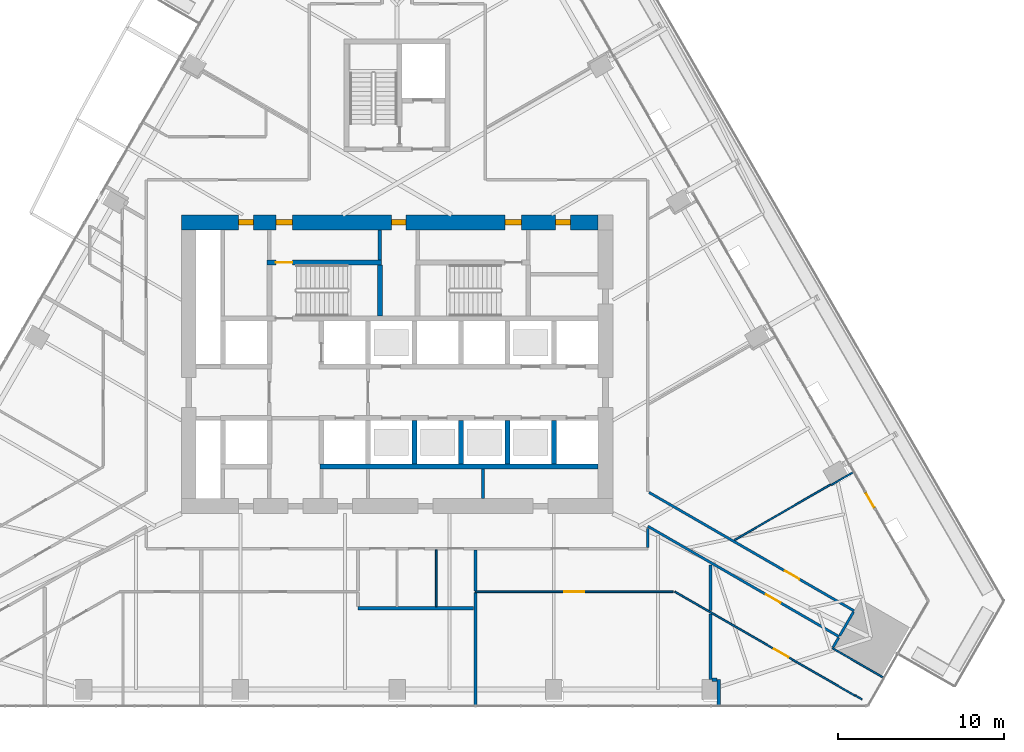
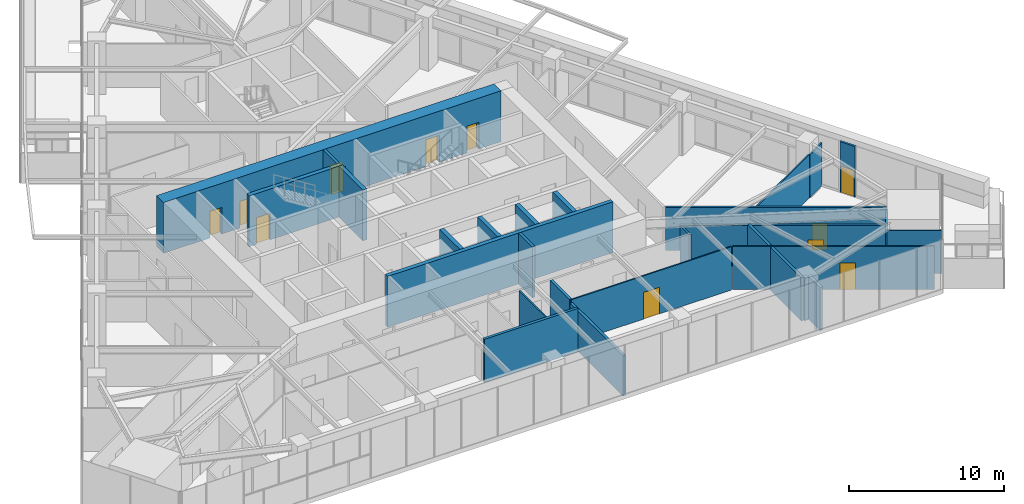
# One storey, part 22 of 29: 30 walls, 11 doors, 11 openings, 1 element without a shape of its own.
"""IFC4 building model written with IfcOpenShell, lengths in metres."""

from ifc_helpers import new_model, si_unit, direction, frame, frame_2d, origin, place, context, subcontext, project, spatial, rectangle, extrude, material, layer, layer_set, type_object, element, fill, aggregate, save


model = new_model("IFC4")

# Units and contexts
model_context = context("Model", 3, precision=1e-05, world=origin(), true_north=direction((0.0, 1.0)))
body_context = subcontext(model_context, "Body", "Model", "MODEL_VIEW")
ifc_project = project(units=[si_unit("LENGTHUNIT", "METRE"), si_unit("AREAUNIT", "SQUARE_METRE"), si_unit("VOLUMEUNIT", "CUBIC_METRE"), si_unit("PLANEANGLEUNIT", "RADIAN"), si_unit("MASSUNIT", "GRAM", prefix="KILO")], contexts=[model_context])

# Site, building, storey
site_placement = place(None, origin())
site = spatial("IfcSite", under=ifc_project, at=site_placement, CompositionType="ELEMENT")
building_placement = place(site_placement, origin())
building = spatial("IfcBuilding", under=site, at=building_placement, Name="Firuza Gate Tower and Library", CompositionType="ELEMENT")
storey_placement = place(building_placement, frame((0.0, 0.0, 82.0)))
storey = spatial("IfcBuildingStorey", under=building, at=storey_placement, Name="L18", CompositionType="ELEMENT", Elevation=82.0)

# Walls
ifc_material_1 = material(Name="Plasterboard on steel studs", Category="steel")
ifc_layer_1 = layer(ifc_material_1, 0.199951171875)
ifc_layer_set_1 = layer_set([ifc_layer_1], Name="Core partition 200 EI 120")
wall_type_1 = type_object("IfcWallType", Name="Core partition 200 EI 120", PredefinedType="PARTITIONING", material=ifc_layer_set_1)
wall_1_placement = place(storey_placement, frame((80.175048828125, 66.89990234375, 0.0), z_axis=(0.0, 0.0, 1.0), x_axis=(0.0, 1.0, 0.0)))
element("IfcWall", 1, at=wall_1_placement, inside=storey, type_object=wall_type_1, Name="Core partition L18 15", PredefinedType="PARTITIONING", context=body_context, shape_type="SweptSolid", body=[
    extrude(rectangle(XDim=1.800048828125, YDim=0.199951171875, at=frame_2d((0.89990234375, 0.0))), origin(), (0.0, 0.0, 1.0), 4.0),
])
ifc_material_2 = material(Name="Plasterboard on steel studs", Category="steel")
ifc_layer_2 = layer(ifc_material_2, 0.199951171875)
ifc_layer_set_2 = layer_set([ifc_layer_2], Name="Core partition 200 EI 60")
wall_type_2 = type_object("IfcWallType", Name="Core partition 200 EI 60", PredefinedType="PARTITIONING", material=ifc_layer_set_2)
wall_2_placement = place(storey_placement, frame((73.9599609375, 81.280029296875, 0.0), z_axis=(0.0, 0.0, 1.0), x_axis=(0.0, 1.0, 0.0)))
element("IfcWall", 2, at=wall_2_placement, inside=storey, type_object=wall_type_2, Name="Core partition L18 13", PredefinedType="PARTITIONING", context=body_context, shape_type="SweptSolid", body=[
    extrude(rectangle(XDim=1.820068359375, YDim=0.199951171875, at=frame_2d((0.91015625, 0.0))), origin(), (0.0, 0.0, 1.0), 4.0),
])
ifc_material_3 = material(Name="Concrete C80/95", Category="concrete")
ifc_layer_3 = layer(ifc_material_3, 0.300048828125)
ifc_layer_set_3 = layer_set([ifc_layer_3], Name="Core wall 300 C80/95")
wall_type_3 = type_object("IfcWallType", Name="Core wall 300 C80/95", PredefinedType="SHEAR", material=ifc_layer_set_3)
wall_3_placement = place(storey_placement, frame((70.35009765625, 68.85009765625, 0.0), z_axis=(0.0, 0.0, 1.0), x_axis=(1.0, 0.0, 0.0)))
element("IfcWall", 3, at=wall_3_placement, inside=storey, type_object=wall_type_3, Name="Core wall L18 6", PredefinedType="SHEAR", context=body_context, shape_type="SweptSolid", body=[
    extrude(rectangle(XDim=16.75, YDim=0.300048828125, at=frame_2d((8.375, 0.0))), origin(), (0.0, 0.0, 1.0), 4.0),
])
for number, where, z_axis, x_axis, name in (
    (4, (76.050048828125, 69.0, 0.0), (0.0, 0.0, 1.0), (0.0, 1.0, 0.0), "Core wall L18 19"),
    (5, (78.85009765625, 69.0, 0.0), (0.0, 0.0, 1.0), (0.0, 1.0, 0.0), "Core wall L18 21"),
    (6, (81.64990234375, 69.0, 0.0), (0.0, 0.0, 1.0), (0.0, 1.0, 0.0), "Core wall L18 23"),
    (7, (84.449951171875, 69.0, 0.0), (0.0, 0.0, 1.0), (0.0, 1.0, 0.0), "Core wall L18 25"),
):
    element("IfcWall", number, at=place(storey_placement, frame(where, z_axis=z_axis, x_axis=x_axis)), inside=storey, type_object=wall_type_3, Name=name, PredefinedType="SHEAR", context=body_context, shape_type="SweptSolid", body=[
        extrude(rectangle(XDim=2.60009765625, YDim=0.300048828125, at=frame_2d((1.300048828125, 0.0))), origin(), (0.0, 0.0, 1.0), 4.0),
    ])

# Wall, opening, door
wall_4_placement = place(storey_placement, frame((67.14990234375, 81.1298828125, 0.0), z_axis=(0.0, 0.0, 1.0), x_axis=(1.0, 0.0, 0.0)))
wall_4 = element("IfcWall", 8, at=wall_4_placement, inside=storey, type_object=wall_type_3, Name="Core wall L18 28", PredefinedType="SHEAR", context=body_context, shape_type="SweptSolid", body=[
    extrude(rectangle(XDim=6.91015625, YDim=0.300048828125, at=frame_2d((3.455078125, 0.0))), origin(), (0.0, 0.0, 1.0), 4.0),
])
opening_1_placement = place(wall_4_placement, frame((0.544921875, 0.0, 0.0)))
opening_1 = element("IfcOpeningElement", 9, at=opening_1_placement, cuts=wall_4, Name="Opening L18-K13", PredefinedType="OPENING", context=body_context, shape_type="SweptSolid", body=[
    extrude(rectangle(XDim=1.0, YDim=2.10009765625, at=frame_2d((0.5, 1.050048828125))), frame((0.0, 0.16015625, 0.0), z_axis=(0.0, -1.0, 0.0), x_axis=(1.0, 0.0, 0.0)), (0.0, 0.0, 1.0), 0.320068359375),
])
ifc_material_4 = material(Name="Steel", Category="steel")
door_type_1 = type_object("IfcDoorType", Name="Fire door 1000x2100 FD90", OperationType="NOTDEFINED", PredefinedType="DOOR", material=ifc_material_4)
door_1_placement = place(opening_1_placement, origin())
door_1 = element("IfcDoor", 10, at=door_1_placement, inside=storey, type_object=door_type_1, Name="Door L18-K13", OperationType="SINGLE_SWING_RIGHT", OverallHeight=2.10009765625, OverallWidth=1.0, PredefinedType="DOOR", context=body_context, shape_type="SweptSolid", body=[
    extrude(rectangle(XDim=1.0, YDim=2.10009765625, at=frame_2d((0.5, 1.050048828125))), frame((0.0, 0.02490234375, 0.0), z_axis=(0.0, -1.0, 0.0), x_axis=(1.0, 0.0, 0.0)), (0.0, 0.0, 1.0), 0.050048828125),
])
fill(opening_1, door_1)

# Wall
wall_5_placement = place(storey_placement, frame((73.9599609375, 77.89990234375, 0.0), z_axis=(0.0, 0.0, 1.0), x_axis=(0.0, 1.0, 0.0)))
element("IfcWall", 11, at=wall_5_placement, inside=storey, type_object=wall_type_3, Name="Core wall L18 31", PredefinedType="SHEAR", context=body_context, shape_type="SweptSolid", body=[
    extrude(rectangle(XDim=3.080078125, YDim=0.300048828125, at=frame_2d((1.5400390625, 0.0))), origin(), (0.0, 0.0, 1.0), 4.0),
])

# Wall, openings, doors
ifc_material_5 = material(Name="Concrete C80/95", Category="concrete")
ifc_layer_4 = layer(ifc_material_5, 0.89990234375)
ifc_layer_set_4 = layer_set([ifc_layer_4], Name="Core wall 900 C80/95")
wall_type_4 = type_object("IfcWallType", Name="Core wall 900 C80/95", PredefinedType="SHEAR", material=ifc_layer_set_4)
wall_6_placement = place(storey_placement, frame((62.0, 83.550048828125, 0.0), z_axis=(0.0, 0.0, 1.0), x_axis=(1.0, 0.0, 0.0)))
wall_6 = element("IfcWall", 12, at=wall_6_placement, inside=storey, type_object=wall_type_4, Name="Core wall L18 2", PredefinedType="SHEAR", context=body_context, shape_type="SweptSolid", body=[
    extrude(rectangle(XDim=25.10009765625, YDim=0.89990234375, at=frame_2d((12.550048828125, 0.0))), origin(), (0.0, 0.0, 1.0), 4.0),
])
opening_2_placement = place(wall_6_placement, frame((5.695068359375, 0.0, 0.0)))
opening_2 = element("IfcOpeningElement", 13, at=opening_2_placement, cuts=wall_6, Name="Opening L18-K14", PredefinedType="OPENING", context=body_context, shape_type="SweptSolid", body=[
    extrude(rectangle(XDim=1.0, YDim=2.10009765625, at=frame_2d((0.5, 1.050048828125))), frame((0.0, 0.4599609375, 0.0), z_axis=(0.0, -1.0, 0.0), x_axis=(1.0, 0.0, 0.0)), (0.0, 0.0, 1.0), 0.919921875),
])
opening_3_placement = place(wall_6_placement, frame((19.5048828125, 0.0, 0.0)))
opening_3 = element("IfcOpeningElement", 14, at=opening_3_placement, cuts=wall_6, Name="Opening L18-K16", PredefinedType="OPENING", context=body_context, shape_type="SweptSolid", body=[
    extrude(rectangle(XDim=1.0, YDim=2.10009765625, at=frame_2d((0.5, 1.050048828125))), frame((0.0, 0.4599609375, 0.0), z_axis=(0.0, -1.0, 0.0), x_axis=(1.0, 0.0, 0.0)), (0.0, 0.0, 1.0), 0.919921875),
])
opening_4_placement = place(wall_6_placement, frame((3.449951171875, 0.0, 0.0)))
opening_4 = element("IfcOpeningElement", 15, at=opening_4_placement, cuts=wall_6, Name="Opening L18-K29", PredefinedType="OPENING", context=body_context, shape_type="SweptSolid", body=[
    extrude(rectangle(XDim=0.89990234375, YDim=2.10009765625, at=frame_2d((0.449951171875, 1.050048828125))), frame((0.0, 0.4599609375, 0.0), z_axis=(0.0, -1.0, 0.0), x_axis=(1.0, 0.0, 0.0)), (0.0, 0.0, 1.0), 0.919921875),
])
opening_5_placement = place(wall_6_placement, frame((12.64990234375, 0.0, 0.0)))
opening_5 = element("IfcOpeningElement", 16, at=opening_5_placement, cuts=wall_6, Name="Opening L18-K30", PredefinedType="OPENING", context=body_context, shape_type="SweptSolid", body=[
    extrude(rectangle(XDim=0.89990234375, YDim=2.10009765625, at=frame_2d((0.449951171875, 1.050048828125))), frame((0.0, 0.4599609375, 0.0), z_axis=(0.0, -1.0, 0.0), x_axis=(1.0, 0.0, 0.0)), (0.0, 0.0, 1.0), 0.919921875),
])
opening_6_placement = place(wall_6_placement, frame((22.550048828125, 0.0, 0.0)))
opening_6 = element("IfcOpeningElement", 17, at=opening_6_placement, cuts=wall_6, Name="Opening L18-K32", PredefinedType="OPENING", context=body_context, shape_type="SweptSolid", body=[
    extrude(rectangle(XDim=0.89990234375, YDim=2.10009765625, at=frame_2d((0.449951171875, 1.050048828125))), frame((0.0, 0.4599609375, 0.0), z_axis=(0.0, -1.0, 0.0), x_axis=(1.0, 0.0, 0.0)), (0.0, 0.0, 1.0), 0.919921875),
])
door_2_placement = place(opening_2_placement, origin())
door_2 = element("IfcDoor", 18, at=door_2_placement, inside=storey, type_object=door_type_1, Name="Door L18-K14", OperationType="SINGLE_SWING_LEFT", OverallHeight=2.10009765625, OverallWidth=1.0, PredefinedType="DOOR", context=body_context, shape_type="SweptSolid", body=[
    extrude(rectangle(XDim=1.0, YDim=2.10009765625, at=frame_2d((0.5, 1.050048828125))), frame((0.0, 0.169921875, 0.0), z_axis=(0.0, -1.0, 0.0), x_axis=(1.0, 0.0, 0.0)), (0.0, 0.0, 1.0), 0.33984375),
])
fill(opening_2, door_2)
door_3_placement = place(opening_3_placement, origin())
door_3 = element("IfcDoor", 19, at=door_3_placement, inside=storey, type_object=door_type_1, Name="Door L18-K16", OperationType="SINGLE_SWING_LEFT", OverallHeight=2.10009765625, OverallWidth=1.0, PredefinedType="DOOR", context=body_context, shape_type="SweptSolid", body=[
    extrude(rectangle(XDim=1.0, YDim=2.10009765625, at=frame_2d((0.5, 1.050048828125))), frame((0.0, 0.169921875, 0.0), z_axis=(0.0, -1.0, 0.0), x_axis=(1.0, 0.0, 0.0)), (0.0, 0.0, 1.0), 0.33984375),
])
fill(opening_3, door_3)
ifc_material_6 = material(Name="Steel", Category="steel")
door_type_2 = type_object("IfcDoorType", Name="Fire door 900x2100 FD30S", OperationType="NOTDEFINED", PredefinedType="DOOR", material=ifc_material_6)
door_4_placement = place(opening_4_placement, origin())
door_4 = element("IfcDoor", 20, at=door_4_placement, inside=storey, type_object=door_type_2, Name="Door L18-K29", OperationType="SINGLE_SWING_RIGHT", OverallHeight=2.10009765625, OverallWidth=0.89990234375, PredefinedType="DOOR", context=body_context, shape_type="SweptSolid", body=[
    extrude(rectangle(XDim=0.89990234375, YDim=2.10009765625, at=frame_2d((0.449951171875, 1.050048828125))), frame((0.0, 0.169921875, 0.0), z_axis=(0.0, -1.0, 0.0), x_axis=(1.0, 0.0, 0.0)), (0.0, 0.0, 1.0), 0.33984375),
])
fill(opening_4, door_4)
door_5_placement = place(opening_5_placement, origin())
door_5 = element("IfcDoor", 21, at=door_5_placement, inside=storey, type_object=door_type_2, Name="Door L18-K30", OperationType="SINGLE_SWING_LEFT", OverallHeight=2.10009765625, OverallWidth=0.89990234375, PredefinedType="DOOR", context=body_context, shape_type="SweptSolid", body=[
    extrude(rectangle(XDim=0.89990234375, YDim=2.10009765625, at=frame_2d((0.449951171875, 1.050048828125))), frame((0.0, 0.169921875, 0.0), z_axis=(0.0, -1.0, 0.0), x_axis=(1.0, 0.0, 0.0)), (0.0, 0.0, 1.0), 0.33984375),
])
fill(opening_5, door_5)
door_6_placement = place(opening_6_placement, origin())
door_6 = element("IfcDoor", 22, at=door_6_placement, inside=storey, type_object=door_type_2, Name="Door L18-K32", OperationType="SINGLE_SWING_LEFT", OverallHeight=2.10009765625, OverallWidth=0.89990234375, PredefinedType="DOOR", context=body_context, shape_type="SweptSolid", body=[
    extrude(rectangle(XDim=0.89990234375, YDim=2.10009765625, at=frame_2d((0.449951171875, 1.050048828125))), frame((0.0, 0.169921875, 0.0), z_axis=(0.0, -1.0, 0.0), x_axis=(1.0, 0.0, 0.0)), (0.0, 0.0, 1.0), 0.33984375),
])
fill(opening_6, door_6)

# Walls
ifc_material_7 = material(Name="Gypsum board partition")
ifc_layer_5 = layer(ifc_material_7, 0.14990234375)
ifc_layer_set_5 = layer_set([ifc_layer_5], Name="Corridor wall 150 double board on steel studs")
wall_type_5 = type_object("IfcWallType", Name="Corridor wall 150 double board on steel studs", PredefinedType="PARTITIONING", material=ifc_layer_set_5)
wall_7_placement = place(storey_placement, frame((101.25244140625, 57.9384765625, 0.0), z_axis=(0.0, 0.0, 1.0), x_axis=(0.500108776725, 0.865962592404, 0.0)))
element("IfcWall", 23, at=wall_7_placement, inside=storey, type_object=wall_type_5, Name="f:L18:w027", PredefinedType="PARTITIONING", context=body_context, shape_type="SweptSolid", body=[
    extrude(rectangle(XDim=0.674560546875, YDim=0.14990234375, at=frame_2d((0.33740234375, 0.0))), origin(), (0.0, 0.0, 1.0), 3.39990234375),
])
wall_8_placement = place(storey_placement, frame((90.10009765625, 63.97509765625, 0.0), z_axis=(0.0, 0.0, 1.0), x_axis=(0.0, 1.0, 0.0)))
element("IfcWall", 24, at=wall_8_placement, inside=storey, type_object=wall_type_5, Name="f:L18:w033", PredefinedType="PARTITIONING", context=body_context, shape_type="SweptSolid", body=[
    extrude(rectangle(XDim=1.131103515625, YDim=0.14990234375, at=frame_2d((0.5654296875, 0.0))), origin(), (0.0, 0.0, 1.0), 3.2470703125),
])

# Wall, opening, door
wall_9_placement = place(storey_placement, frame((90.175048828125, 67.278076171875, 0.0), z_axis=(0.0, 0.0, 1.0), x_axis=(0.866024530411, -0.500001512725, 0.0)))
wall_9 = element("IfcWall", 25, at=wall_9_placement, inside=storey, type_object=wall_type_5, Name="f:L18:w063", PredefinedType="PARTITIONING", context=body_context, shape_type="SweptSolid", body=[
    extrude(rectangle(XDim=14.2626953125, YDim=0.14990234375, at=frame_2d((7.13134765625, 0.0))), origin(), (0.0, 0.0, 1.0), 3.39990234375),
])
opening_7_placement = place(wall_9_placement, frame((9.44970703125, 0.0, 0.0)))
opening_7 = element("IfcOpeningElement", 26, at=opening_7_placement, cuts=wall_9, Name="Opening L18-30", PredefinedType="OPENING", context=body_context, shape_type="SweptSolid", body=[
    extrude(rectangle(XDim=1.0, YDim=2.10009765625, at=frame_2d((0.5, 1.050048828125))), frame((0.0, 0.0849609375, 0.0), z_axis=(0.0, -1.0, 0.0), x_axis=(1.0, 0.0, 0.0)), (0.0, 0.0, 1.0), 0.169921875),
])
ifc_material_8 = material(Name="Steel door and timber leaf", Category="steel")
door_type_3 = type_object("IfcDoorType", Name="Fire door 1000 x 2100 steel frame, timber leaf", OperationType="NOTDEFINED", PredefinedType="DOOR", material=ifc_material_8)
door_7_placement = place(opening_7_placement, origin())
door_7 = element("IfcDoor", 27, at=door_7_placement, inside=storey, type_object=door_type_3, Name="f:L18:d030", OperationType="SINGLE_SWING_RIGHT", OverallHeight=2.10009765625, OverallWidth=1.0, PredefinedType="DOOR", context=body_context, shape_type="SweptSolid", body=[
    extrude(rectangle(XDim=1.0, YDim=2.10009765625, at=frame_2d((0.5, 1.050048828125))), frame((0.0, 0.02490234375, 0.0), z_axis=(0.0, -1.0, 0.0), x_axis=(1.0, 0.0, 0.0)), (0.0, 0.0, 1.0), 0.050048828125),
])
fill(opening_7, door_7)

wall_10_placement = place(storey_placement, frame((101.626953125, 58.587890625, 0.0), z_axis=(0.0, 0.0, 1.0), x_axis=(-0.866025527764, 0.499999785261, 0.0)))
wall_10 = element("IfcWall", 28, at=wall_10_placement, inside=storey, type_object=wall_type_5, Name="f:L18:w066", PredefinedType="PARTITIONING", context=body_context, shape_type="SweptSolid", body=[
    extrude(rectangle(XDim=13.31005859375, YDim=0.14990234375, at=frame_2d((6.655029296875, 0.0))), origin(), (0.0, 0.0, 1.0), 3.2470703125),
])
opening_8_placement = place(wall_10_placement, frame((4.07861328125, 0.0, 0.0)))
opening_8 = element("IfcOpeningElement", 29, at=opening_8_placement, cuts=wall_10, Name="Opening L18-31", PredefinedType="OPENING", context=body_context, shape_type="SweptSolid", body=[
    extrude(rectangle(XDim=1.0, YDim=2.10009765625, at=frame_2d((0.5, 1.050048828125))), frame((0.0, 0.0849609375, 0.0), z_axis=(0.0, -1.0, 0.0), x_axis=(1.0, 0.0, 0.0)), (0.0, 0.0, 1.0), 0.169921875),
])
door_8_placement = place(opening_8_placement, origin())
door_8 = element("IfcDoor", 30, at=door_8_placement, inside=storey, type_object=door_type_3, Name="f:L18:d031", OperationType="SINGLE_SWING_RIGHT", OverallHeight=2.10009765625, OverallWidth=1.0, PredefinedType="DOOR", context=body_context, shape_type="SweptSolid", body=[
    extrude(rectangle(XDim=1.0, YDim=2.10009765625, at=frame_2d((0.5, 1.050048828125))), frame((0.0, 0.02490234375, 0.0), z_axis=(0.0, -1.0, 0.0), x_axis=(1.0, 0.0, 0.0)), (0.0, 0.0, 1.0), 0.050048828125),
])
fill(opening_8, door_8)

# Walls
wall_11_placement = place(storey_placement, frame((101.664794921875, 58.652587890625, 0.0), z_axis=(0.0, 0.0, 1.0), x_axis=(0.499991515992, 0.866030301974, 0.0)))
element("IfcWall", 31, at=wall_11_placement, inside=storey, type_object=wall_type_5, Name="f:L18:w080", PredefinedType="PARTITIONING", context=body_context, shape_type="SweptSolid", body=[
    extrude(rectangle(XDim=1.6494140625, YDim=0.14990234375, at=frame_2d((0.82470703125, 0.0))), origin(), (0.0, 0.0, 1.0), 3.2470703125),
])
ifc_material_9 = material(Name="Gypsum board partition")
ifc_layer_6 = layer(ifc_material_9, 0.199951171875)
ifc_layer_set_6 = layer_set([ifc_layer_6], Name="Demising wall 200 acoustic double stud")
wall_type_6 = type_object("IfcWallType", Name="Demising wall 200 acoustic double stud", PredefinedType="PARTITIONING", material=ifc_layer_set_6)
wall_12_placement = place(storey_placement, frame((93.972412109375, 55.9990234375, 0.0), z_axis=(0.0, 0.0, 1.0), x_axis=(1.0, 0.0, 0.0)))
element("IfcWall", 32, at=wall_12_placement, inside=storey, type_object=wall_type_6, Name="f:L18:w000", PredefinedType="PARTITIONING", context=body_context, shape_type="SweptSolid", body=[
    extrude(rectangle(XDim=0.29931640625, YDim=0.199951171875, at=frame_2d((0.149658203125, 0.0))), origin(), (0.0, 0.0, 1.0), 3.39990234375),
])
wall_13_placement = place(storey_placement, frame((72.640869140625, 60.300048828125, 0.0), z_axis=(0.0, 0.0, 1.0), x_axis=(1.0, 0.0, 0.0)))
element("IfcWall", 33, at=wall_13_placement, inside=storey, type_object=wall_type_6, Name="f:L18:w001", PredefinedType="PARTITIONING", context=body_context, shape_type="SweptSolid", body=[
    extrude(rectangle(XDim=6.96728515625, YDim=0.199951171875, at=frame_2d((3.483642578125, 0.0))), origin(), (0.0, 0.0, 1.0), 3.39990234375),
])
wall_14_placement = place(storey_placement, frame((94.3720703125, 54.439208984375, 0.0), z_axis=(0.0, 0.0, 1.0), x_axis=(0.0, 1.0, 0.0)))
element("IfcWall", 34, at=wall_14_placement, inside=storey, type_object=wall_type_6, Name="f:L18:w031", PredefinedType="PARTITIONING", context=body_context, shape_type="SweptSolid", body=[
    extrude(rectangle(XDim=1.5595703125, YDim=0.199951171875, at=frame_2d((0.77978515625, 0.0))), origin(), (0.0, 0.0, 1.0), 3.39990234375),
])
wall_15_placement = place(storey_placement, frame((93.8720703125, 55.999267578125, 0.0), z_axis=(0.0, 0.0, 1.0), x_axis=(0.0, 1.0, 0.0)))
element("IfcWall", 35, at=wall_15_placement, inside=storey, type_object=wall_type_6, Name="f:L18:w032", PredefinedType="PARTITIONING", context=body_context, shape_type="SweptSolid", body=[
    extrude(rectangle(XDim=3.9482421875, YDim=0.199951171875, at=frame_2d((1.97412109375, 0.0))), origin(), (0.0, 0.0, 1.0), 3.39990234375),
])
wall_16_placement = place(storey_placement, frame((79.718017578125, 54.439208984375, 0.0), z_axis=(0.0, 0.0, 1.0), x_axis=(0.0, 1.0, 0.0)))
element("IfcWall", 36, at=wall_16_placement, inside=storey, type_object=wall_type_6, Name="f:L18:w036", PredefinedType="PARTITIONING", context=body_context, shape_type="SweptSolid", body=[
    extrude(rectangle(XDim=6.810791015625, YDim=0.199951171875, at=frame_2d((3.4052734375, 0.0))), origin(), (0.0, 0.0, 1.0), 3.1650390625),
])
wall_17_placement = place(storey_placement, frame((79.718017578125, 61.35009765625, 0.0), z_axis=(0.0, 0.0, 1.0), x_axis=(0.0, 1.0, 0.0)))
element("IfcWall", 37, at=wall_17_placement, inside=storey, type_object=wall_type_6, Name="f:L18:w076", PredefinedType="PARTITIONING", context=body_context, shape_type="SweptSolid", body=[
    extrude(rectangle(XDim=2.474853515625, YDim=0.199951171875, at=frame_2d((1.2373046875, 0.0))), origin(), (0.0, 0.0, 1.0), 3.39990234375),
])
wall_18_placement = place(storey_placement, frame((93.8720703125, 60.178466796875, 0.0), z_axis=(0.0, 0.0, 1.0), x_axis=(0.0, 1.0, 0.0)))
element("IfcWall", 38, at=wall_18_placement, inside=storey, type_object=wall_type_6, Name="f:L18:w081", PredefinedType="PARTITIONING", context=body_context, shape_type="SweptSolid", body=[
    extrude(rectangle(XDim=2.73974609375, YDim=0.199951171875, at=frame_2d((1.369873046875, 0.0))), origin(), (0.0, 0.0, 1.0), 3.39990234375),
])

# Wall, opening, door
ifc_material_10 = material(Name="Gypsum board partition")
ifc_layer_7 = layer(ifc_material_10, 0.10009765625)
ifc_layer_set_7 = layer_set([ifc_layer_7], Name="Partition 100 gypsum board on steel studs")
wall_type_7 = type_object("IfcWallType", Name="Partition 100 gypsum board on steel studs", PredefinedType="PARTITIONING", material=ifc_layer_set_7)
wall_19_placement = place(storey_placement, frame((79.718017578125, 61.300048828125, 0.0), z_axis=(0.0, 0.0, 1.0), x_axis=(1.0, 0.0, 0.0)))
wall_19 = element("IfcWall", 39, at=wall_19_placement, inside=storey, type_object=wall_type_7, Name="f:L18:w003", PredefinedType="PARTITIONING", context=body_context, shape_type="SweptSolid", body=[
    extrude(rectangle(XDim=11.9111328125, YDim=0.10009765625, at=frame_2d((5.95556640625, 0.0))), origin(), (0.0, 0.0, 1.0), 3.39990234375),
])
opening_9_placement = place(wall_19_placement, frame((5.35546875, 0.0, 0.0)))
opening_9 = element("IfcOpeningElement", 40, at=opening_9_placement, cuts=wall_19, Name="Opening L18-03", PredefinedType="OPENING", context=body_context, shape_type="SweptSolid", body=[
    extrude(rectangle(XDim=1.199951171875, YDim=2.10009765625, at=frame_2d((0.60009765625, 1.050048828125))), frame((0.0, 0.06005859375, 0.0), z_axis=(0.0, -1.0, 0.0), x_axis=(1.0, 0.0, 0.0)), (0.0, 0.0, 1.0), 0.1201171875),
])
ifc_material_11 = material(Name="Glazed aluminium door", Category="aluminium")
door_type_4 = type_object("IfcDoorType", Name="Door 1200 x 2100 glazed double leaf", OperationType="NOTDEFINED", PredefinedType="DOOR", material=ifc_material_11)
door_9_placement = place(opening_9_placement, origin())
door_9 = element("IfcDoor", 41, at=door_9_placement, inside=storey, type_object=door_type_4, Name="f:L18:d003", OperationType="DOUBLE_DOOR_SINGLE_SWING", OverallHeight=2.10009765625, OverallWidth=1.199951171875, PredefinedType="DOOR", context=body_context, shape_type="SweptSolid", body=[
    extrude(rectangle(XDim=1.199951171875, YDim=2.10009765625, at=frame_2d((0.60009765625, 1.050048828125))), frame((0.0, 0.02490234375, 0.0), z_axis=(0.0, -1.0, 0.0), x_axis=(1.0, 0.0, 0.0)), (0.0, 0.0, 1.0), 0.050048828125),
])
fill(opening_9, door_9)

# Walls
wall_20_placement = place(storey_placement, frame((101.1416015625, 67.72412109375, 0.0), z_axis=(0.0, 0.0, 1.0), x_axis=(0.866018739521, 0.500011542666, 0.0)))
element("IfcWall", 42, at=wall_20_placement, inside=storey, type_object=wall_type_7, Name="f:L18:w011", PredefinedType="PARTITIONING", context=body_context, shape_type="SweptSolid", body=[
    extrude(rectangle(XDim=1.5595703125, YDim=0.10009765625, at=frame_2d((0.77978515625, 0.0))), origin(), (0.0, 0.0, 1.0), 3.39990234375),
])
wall_21_placement = place(storey_placement, frame((95.333740234375, 64.416015625, 0.0), z_axis=(0.0, 0.0, 1.0), x_axis=(0.866026797969, 0.499997585193, 0.0)))
element("IfcWall", 43, at=wall_21_placement, inside=storey, type_object=wall_type_7, Name="f:L18:w012", PredefinedType="PARTITIONING", context=body_context, shape_type="SweptSolid", body=[
    extrude(rectangle(XDim=6.6826171875, YDim=0.10009765625, at=frame_2d((3.34130859375, 0.0))), origin(), (0.0, 0.0, 1.0), 3.39990234375),
])
wall_22_placement = place(storey_placement, frame((77.35888671875, 60.39990234375, 0.0), z_axis=(0.0, 0.0, 1.0), x_axis=(0.0, 1.0, 0.0)))
element("IfcWall", 44, at=wall_22_placement, inside=storey, type_object=wall_type_7, Name="f:L18:w037", PredefinedType="PARTITIONING", context=body_context, shape_type="SweptSolid", body=[
    extrude(rectangle(XDim=3.425048828125, YDim=0.10009765625, at=frame_2d((1.71240234375, 0.0))), origin(), (0.0, 0.0, 1.0), 3.39990234375),
])
wall_23_placement = place(storey_placement, frame((104.310546875, 56.11474609375, 0.0), z_axis=(0.0, 0.0, 1.0), x_axis=(-0.866031398331, 0.499989616998, 0.0)))
element("IfcWall", 45, at=wall_23_placement, inside=storey, type_object=wall_type_7, Name="f:L18:w067", PredefinedType="PARTITIONING", context=body_context, shape_type="SweptSolid", body=[
    extrude(rectangle(XDim=3.5595703125, YDim=0.10009765625, at=frame_2d((1.77978515625, 0.0))), origin(), (0.0, 0.0, 1.0), 3.39990234375),
])
wall_24_placement = place(storey_placement, frame((102.998291015625, 54.815673828125, 0.0), z_axis=(0.0, 0.0, 1.0), x_axis=(-0.866073792734, 0.499916178513, 0.0)))
element("IfcWall", 46, at=wall_24_placement, inside=storey, type_object=wall_type_7, Name="f:L18:w069", PredefinedType="PARTITIONING", context=body_context, shape_type="SweptSolid", body=[
    extrude(rectangle(XDim=0.47265625, YDim=0.10009765625, at=frame_2d((0.236328125, 0.0))), origin(), (0.0, 0.0, 1.0), 3.39990234375),
])

# Wall, opening, door
wall_25_placement = place(storey_placement, frame((91.729248046875, 61.300048828125, 0.0), z_axis=(0.0, 0.0, 1.0), x_axis=(0.866025600504, -0.499999659272, 0.0)))
wall_25 = element("IfcWall", 47, at=wall_25_placement, inside=storey, type_object=wall_type_7, Name="f:L18:w070", PredefinedType="PARTITIONING", context=body_context, shape_type="SweptSolid", body=[
    extrude(rectangle(XDim=12.5283203125, YDim=0.10009765625, at=frame_2d((6.26416015625, 0.0))), origin(), (0.0, 0.0, 1.0), 3.39990234375),
])
opening_10_placement = place(wall_25_placement, frame((6.901611328125, 0.0, 0.0)))
opening_10 = element("IfcOpeningElement", 48, at=opening_10_placement, cuts=wall_25, Name="Opening L18-32", PredefinedType="OPENING", context=body_context, shape_type="SweptSolid", body=[
    extrude(rectangle(XDim=1.0, YDim=2.10009765625, at=frame_2d((0.5, 1.050048828125))), frame((0.0, 0.06005859375, 0.0), z_axis=(0.0, -1.0, 0.0), x_axis=(1.0, 0.0, 0.0)), (0.0, 0.0, 1.0), 0.1201171875),
])
ifc_material_12 = material(Name="Timber door", Category="wood")
door_type_5 = type_object("IfcDoorType", Name="Door 1000 x 2100 timber leaf", OperationType="NOTDEFINED", PredefinedType="DOOR", material=ifc_material_12)
door_10_placement = place(opening_10_placement, origin())
door_10 = element("IfcDoor", 49, at=door_10_placement, inside=storey, type_object=door_type_5, Name="f:L18:d032", OperationType="SINGLE_SWING_RIGHT", OverallHeight=2.10009765625, OverallWidth=1.0, PredefinedType="DOOR", context=body_context, shape_type="SweptSolid", body=[
    extrude(rectangle(XDim=1.0, YDim=2.10009765625, at=frame_2d((0.5, 1.050048828125))), frame((0.0, 0.02490234375, 0.0), z_axis=(0.0, -1.0, 0.0), x_axis=(1.0, 0.0, 0.0)), (0.0, 0.0, 1.0), 0.050048828125),
])
fill(opening_10, door_10)

# Curtain wall, wall, opening, door
ifc_material_13 = material(Name="Aluminium 6063-T6", Category="aluminium")
ifc_layer_8 = layer(ifc_material_13, 0.14990234375)
ifc_layer_set_8 = layer_set([ifc_layer_8], Name="Unitised curtain wall, offices")
curtain_wall_type = type_object("IfcCurtainWallType", Name="Unitised curtain wall, offices", PredefinedType="NOTDEFINED", material=ifc_layer_set_8)
curtain_wall_placement = place(storey_placement, origin())
curtain_wall = element("IfcCurtainWall", 50, at=curtain_wall_placement, inside=storey, type_object=curtain_wall_type, Name="CW1 L18 E face", PredefinedType="NOTDEFINED")
ifc_material_14 = material(Name="Aluminium 6063-T6", Category="aluminium")
ifc_layer_9 = layer(ifc_material_14, 0.14990234375)
ifc_layer_set_9 = layer_set([ifc_layer_9], Name="Terrace door wall 150")
wall_type_8 = type_object("IfcWallType", Name="Terrace door wall 150", PredefinedType="SOLIDWALL", material=ifc_layer_set_9)
wall_26_placement = place(storey_placement, frame((103.76513671875, 66.3291015625, 0.0), z_axis=(0.0, 0.0, 1.0), x_axis=(-0.500030632641, 0.866007717299, 0.0)))
wall_26 = element("IfcWall", 51, at=wall_26_placement, type_object=wall_type_8, Name="Terrace door wall", PredefinedType="SOLIDWALL", context=body_context, shape_type="SweptSolid", body=[
    extrude(rectangle(XDim=1.1201171875, YDim=0.14990234375, at=frame_2d((0.56005859375, 0.0))), origin(), (0.0, 0.0, 1.0), 4.0),
])
opening_11_placement = place(wall_26_placement, frame((0.06005859375, 0.0, 0.0)))
opening_11 = element("IfcOpeningElement", 52, at=opening_11_placement, cuts=wall_26, Name="Opening DR6", PredefinedType="OPENING", context=body_context, shape_type="SweptSolid", body=[
    extrude(rectangle(XDim=1.0, YDim=2.10009765625, at=frame_2d((0.5, 1.050048828125))), frame((0.0, 0.0849609375, 0.0), z_axis=(0.0, -1.0, 0.0), x_axis=(1.0, 0.0, 0.0)), (0.0, 0.0, 1.0), 0.169921875),
])
ifc_material_15 = material(Name="Aluminium 6063-T6 and glass", Category="aluminium")
door_type_6 = type_object("IfcDoorType", Name="Terrace door 1000x2100", OperationType="NOTDEFINED", PredefinedType="DOOR", material=ifc_material_15)
door_11_placement = place(opening_11_placement, origin())
door_11 = element("IfcDoor", 53, at=door_11_placement, inside=storey, type_object=door_type_6, Name="Terrace door", OperationType="SINGLE_SWING_LEFT", OverallHeight=2.10009765625, OverallWidth=1.0, PredefinedType="DOOR", context=body_context, shape_type="SweptSolid", body=[
    extrude(rectangle(XDim=1.0, YDim=2.10009765625, at=frame_2d((0.5, 1.050048828125))), frame((0.0, 0.02490234375, 0.0), z_axis=(0.0, -1.0, 0.0), x_axis=(1.0, 0.0, 0.0)), (0.0, 0.0, 1.0), 0.050048828125),
])
fill(opening_11, door_11)
aggregate(curtain_wall, [wall_26])

save(model, "model.ifc")
